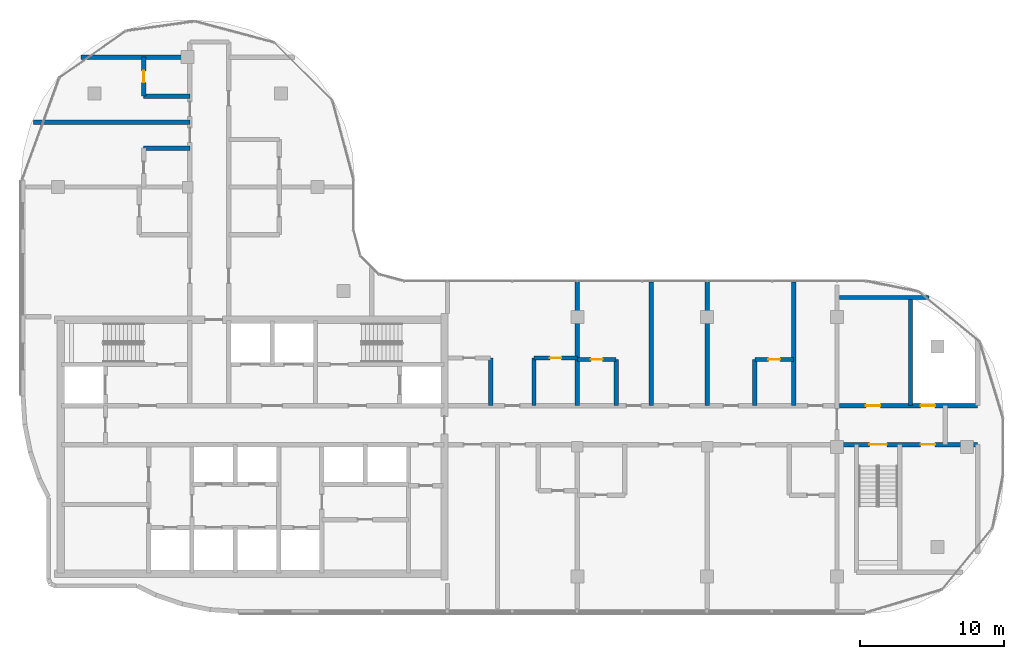
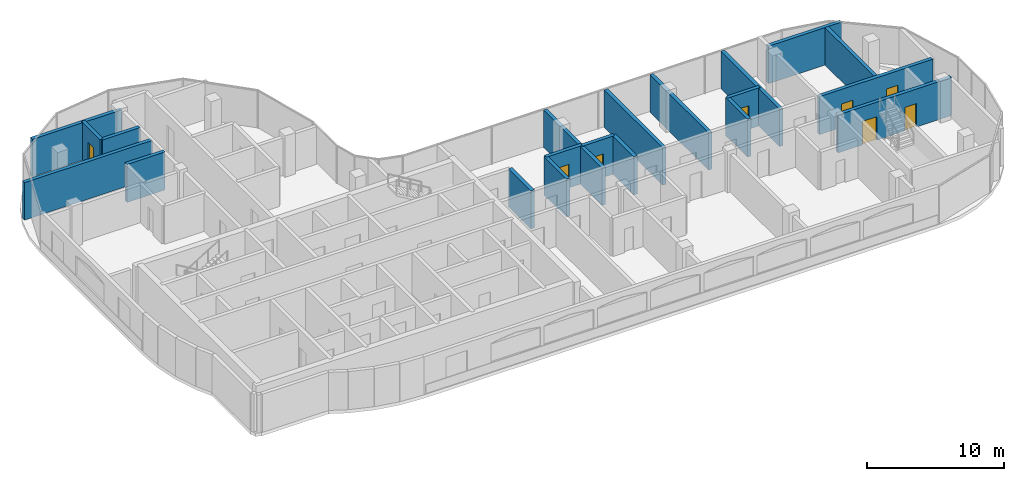
# One storey, part 12 of 18: 20 walls, 8 doors, 8 openings.
"""IFC4 building model written with IfcOpenShell, lengths in metres."""

from ifc_helpers import new_model, si_unit, direction, frame, frame_2d, origin, place, context, subcontext, project, spatial, rectangle, extrude, material, layer, layer_set, type_object, element, fill, save


model = new_model("IFC4")

# Units and contexts
model_context = context("Model", 3, precision=1e-05, world=origin(), true_north=direction((0.0, 1.0)))
body_context = subcontext(model_context, "Body", "Model", "MODEL_VIEW")
ifc_project = project(units=[si_unit("LENGTHUNIT", "METRE"), si_unit("AREAUNIT", "SQUARE_METRE"), si_unit("VOLUMEUNIT", "CUBIC_METRE"), si_unit("PLANEANGLEUNIT", "RADIAN"), si_unit("MASSUNIT", "GRAM", prefix="KILO")], contexts=[model_context])

# Site, building, storey
site_placement = place(None, origin())
site = spatial("IfcSite", under=ifc_project, at=site_placement, CompositionType="ELEMENT")
building_placement = place(site_placement, origin())
building = spatial("IfcBuilding", under=site, at=building_placement, Name="Ogive Portal Towers", CompositionType="ELEMENT")
storey_placement = place(building_placement, frame((0.0, 0.0, 240.199951171875)))
storey = spatial("IfcBuildingStorey", under=building, at=storey_placement, Name="L60", CompositionType="ELEMENT", Elevation=240.199951171875)

# Wall, openings, doors
ifc_material_1 = material(Name="Concrete C50/60", Category="concrete")
ifc_layer_1 = layer(ifc_material_1, 0.300048828125)
ifc_layer_set_1 = layer_set([ifc_layer_1], Name="STAIR WALL 300 C50")
wall_type_1 = type_object("IfcWallType", Name="STAIR WALL 300 C50", PredefinedType="SHEAR", material=ifc_layer_set_1)
wall_1_placement = place(storey_placement, frame((85.669921875, 30.64990234375, 0.0), z_axis=(0.0, 0.0, 1.0), x_axis=(1.0, 0.0, 0.0)))
wall_1 = element("IfcWall", 1, at=wall_1_placement, inside=storey, type_object=wall_type_1, Name="Stair wall ST-A4 L60", PredefinedType="SHEAR", context=body_context, shape_type="SweptSolid", body=[
    extrude(rectangle(XDim=9.580078125, YDim=0.300048828125, at=frame_2d((4.7900390625, 0.0))), origin(), (0.0, 0.0, 1.0), 3.400146484375),
])
opening_1_placement = place(wall_1_placement, frame((2.080078125, 0.0, 0.0)))
opening_1 = element("IfcOpeningElement", 2, at=opening_1_placement, cuts=wall_1, Name="Opening D26-052", PredefinedType="OPENING", context=body_context, shape_type="SweptSolid", body=[
    extrude(rectangle(XDim=1.199951171875, YDim=2.10009765625, at=frame_2d((0.60009765625, 1.050048828125))), frame((0.0, 0.16015625, 0.0), z_axis=(0.0, -1.0, 0.0), x_axis=(1.0, 0.0, 0.0)), (0.0, 0.0, 1.0), 0.320068359375),
])
opening_2_placement = place(wall_1_placement, frame((5.6298828125, 0.0, 0.0)))
opening_2 = element("IfcOpeningElement", 3, at=opening_2_placement, cuts=wall_1, Name="Opening D26-055", PredefinedType="OPENING", context=body_context, shape_type="SweptSolid", body=[
    extrude(rectangle(XDim=1.0, YDim=2.10009765625, at=frame_2d((0.5, 1.050048828125))), frame((0.0, 0.16015625, 0.0), z_axis=(0.0, -1.0, 0.0), x_axis=(1.0, 0.0, 0.0)), (0.0, 0.0, 1.0), 0.320068359375),
])
ifc_material_2 = material(Name="Steel fire door", Category="steel")
door_type_1 = type_object("IfcDoorType", Name="DT-SERVICE-1000x2100-FD90S", OperationType="SINGLE_SWING_LEFT", PredefinedType="DOOR", material=ifc_material_2)
door_1_placement = place(opening_2_placement, origin())
door_1 = element("IfcDoor", 4, at=door_1_placement, inside=storey, type_object=door_type_1, Name="Door D26-055", OperationType="SINGLE_SWING_LEFT", OverallHeight=2.10009765625, OverallWidth=1.0, PredefinedType="DOOR", context=body_context, shape_type="SweptSolid", body=[
    extrude(rectangle(XDim=1.0, YDim=2.10009765625, at=frame_2d((0.5, 1.050048828125))), frame((0.0, 0.02490234375, 0.0), z_axis=(0.0, -1.0, 0.0), x_axis=(1.0, 0.0, 0.0)), (0.0, 0.0, 1.0), 0.050048828125),
])
fill(opening_2, door_1)
door_type_2 = type_object("IfcDoorType", Name="DT-STAIR-1200x2100-FD90S", OperationType="SINGLE_SWING_LEFT", PredefinedType="DOOR", material=ifc_material_2)
door_2_placement = place(opening_1_placement, origin())
door_2 = element("IfcDoor", 5, at=door_2_placement, inside=storey, type_object=door_type_2, Name="Door D26-052", OperationType="SINGLE_SWING_LEFT", OverallHeight=2.10009765625, OverallWidth=1.199951171875, PredefinedType="DOOR", context=body_context, shape_type="SweptSolid", body=[
    extrude(rectangle(XDim=1.199951171875, YDim=2.10009765625, at=frame_2d((0.60009765625, 1.050048828125))), frame((0.0, 0.02490234375, 0.0), z_axis=(0.0, -1.0, 0.0), x_axis=(1.0, 0.0, 0.0)), (0.0, 0.0, 1.0), 0.050048828125),
])
fill(opening_1, door_2)

ifc_material_3 = material(Name="Gypsum board partition on steel studs", Category="steel")
ifc_layer_2 = layer(ifc_material_3, 0.300048828125)
ifc_layer_set_2 = layer_set([ifc_layer_2], Name="WT-PART-300-EI 120")
wall_type_2 = type_object("IfcWallType", Name="WT-PART-300-EI 120", PredefinedType="PARTITIONING", material=ifc_layer_set_2)
wall_2_placement = place(storey_placement, frame((85.669921875, 33.35009765625, 0.0), z_axis=(0.0, 0.0, 1.0), x_axis=(1.0, 0.0, 0.0)))
wall_2 = element("IfcWall", 6, at=wall_2_placement, inside=storey, type_object=wall_type_2, Name="Wall L60:w008", PredefinedType="PARTITIONING", context=body_context, shape_type="SweptSolid", body=[
    extrude(rectangle(XDim=9.580078125, YDim=0.300048828125, at=frame_2d((4.7900390625, 0.0))), origin(), (0.0, 0.0, 1.0), 3.400146484375),
])
opening_3_placement = place(wall_2_placement, frame((1.830078125, 0.0, 0.0)))
opening_3 = element("IfcOpeningElement", 7, at=opening_3_placement, cuts=wall_2, Name="Opening D26-053", PredefinedType="OPENING", context=body_context, shape_type="SweptSolid", body=[
    extrude(rectangle(XDim=1.0, YDim=2.10009765625, at=frame_2d((0.5, 1.050048828125))), frame((0.0, 0.16015625, 0.0), z_axis=(0.0, -1.0, 0.0), x_axis=(1.0, 0.0, 0.0)), (0.0, 0.0, 1.0), 0.320068359375),
])
opening_4_placement = place(wall_2_placement, frame((5.6298828125, 0.0, 0.0)))
opening_4 = element("IfcOpeningElement", 8, at=opening_4_placement, cuts=wall_2, Name="Opening D26-054", PredefinedType="OPENING", context=body_context, shape_type="SweptSolid", body=[
    extrude(rectangle(XDim=1.0, YDim=2.10009765625, at=frame_2d((0.5, 1.050048828125))), frame((0.0, 0.16015625, 0.0), z_axis=(0.0, -1.0, 0.0), x_axis=(1.0, 0.0, 0.0)), (0.0, 0.0, 1.0), 0.320068359375),
])
door_3_placement = place(opening_3_placement, origin())
door_3 = element("IfcDoor", 9, at=door_3_placement, inside=storey, type_object=door_type_1, Name="Door D26-053", OperationType="SINGLE_SWING_LEFT", OverallHeight=2.10009765625, OverallWidth=1.0, PredefinedType="DOOR", context=body_context, shape_type="SweptSolid", body=[
    extrude(rectangle(XDim=1.0, YDim=2.10009765625, at=frame_2d((0.5, 1.050048828125))), frame((0.0, 0.02490234375, 0.0), z_axis=(0.0, -1.0, 0.0), x_axis=(1.0, 0.0, 0.0)), (0.0, 0.0, 1.0), 0.050048828125),
])
fill(opening_3, door_3)
door_4_placement = place(opening_4_placement, origin())
door_4 = element("IfcDoor", 10, at=door_4_placement, inside=storey, type_object=door_type_1, Name="Riser access door D26-054", OperationType="SINGLE_SWING_RIGHT", OverallHeight=2.10009765625, OverallWidth=1.0, PredefinedType="DOOR", context=body_context, shape_type="SweptSolid", body=[
    extrude(rectangle(XDim=1.0, YDim=2.10009765625, at=frame_2d((0.5, 1.050048828125))), frame((0.0, 0.02490234375, 0.0), z_axis=(0.0, -1.0, 0.0), x_axis=(1.0, 0.0, 0.0)), (0.0, 0.0, 1.0), 0.050048828125),
])
fill(opening_4, door_4)

# Wall, opening, door
ifc_layer_3 = layer(ifc_material_3, 0.300048828125)
ifc_layer_set_3 = layer_set([ifc_layer_3], Name="WT-PART-300-EI 60")
wall_type_3 = type_object("IfcWallType", Name="WT-PART-300-EI 60", PredefinedType="PARTITIONING", material=ifc_layer_set_3)
wall_3_placement = place(storey_placement, frame((67.5, 36.550048828125, 0.0), z_axis=(0.0, 0.0, 1.0), x_axis=(1.0, 0.0, 0.0)))
wall_3 = element("IfcWall", 11, at=wall_3_placement, inside=storey, type_object=wall_type_3, Name="Wall L60:w009", PredefinedType="PARTITIONING", context=body_context, shape_type="SweptSolid", body=[
    extrude(rectangle(XDim=2.699951171875, YDim=0.300048828125, at=frame_2d((1.35009765625, 0.0))), origin(), (0.0, 0.0, 1.0), 3.400146484375),
])
opening_5_placement = place(wall_3_placement, frame((0.949951171875, 0.0, 0.0)))
opening_5 = element("IfcOpeningElement", 12, at=opening_5_placement, cuts=wall_3, Name="Opening D26-032", PredefinedType="OPENING", context=body_context, shape_type="SweptSolid", body=[
    extrude(rectangle(XDim=0.800048828125, YDim=2.10009765625, at=frame_2d((0.39990234375, 1.050048828125))), frame((0.0, 0.16015625, 0.0), z_axis=(0.0, -1.0, 0.0), x_axis=(1.0, 0.0, 0.0)), (0.0, 0.0, 1.0), 0.320068359375),
])
door_type_3 = type_object("IfcDoorType", Name="DT-BATH-800x2100-FD60S", OperationType="SINGLE_SWING_LEFT", PredefinedType="DOOR", material=ifc_material_2)
door_5_placement = place(opening_5_placement, origin())
door_5 = element("IfcDoor", 13, at=door_5_placement, inside=storey, type_object=door_type_3, Name="Door D26-032", OperationType="SINGLE_SWING_LEFT", OverallHeight=2.10009765625, OverallWidth=0.800048828125, PredefinedType="DOOR", context=body_context, shape_type="SweptSolid", body=[
    extrude(rectangle(XDim=0.800048828125, YDim=2.10009765625, at=frame_2d((0.39990234375, 1.050048828125))), frame((0.0, 0.02490234375, 0.0), z_axis=(0.0, -1.0, 0.0), x_axis=(1.0, 0.0, 0.0)), (0.0, 0.0, 1.0), 0.050048828125),
])
fill(opening_5, door_5)

wall_4_placement = place(storey_placement, frame((79.800048828125, 36.550048828125, 0.0), z_axis=(0.0, 0.0, 1.0), x_axis=(1.0, 0.0, 0.0)))
wall_4 = element("IfcWall", 14, at=wall_4_placement, inside=storey, type_object=wall_type_3, Name="Wall L60:w010", PredefinedType="PARTITIONING", context=body_context, shape_type="SweptSolid", body=[
    extrude(rectangle(XDim=2.699951171875, YDim=0.300048828125, at=frame_2d((1.35009765625, 0.0))), origin(), (0.0, 0.0, 1.0), 3.400146484375),
])
opening_6_placement = place(wall_4_placement, frame((0.949951171875, 0.0, 0.0)))
opening_6 = element("IfcOpeningElement", 15, at=opening_6_placement, cuts=wall_4, Name="Opening D26-037", PredefinedType="OPENING", context=body_context, shape_type="SweptSolid", body=[
    extrude(rectangle(XDim=0.800048828125, YDim=2.10009765625, at=frame_2d((0.39990234375, 1.050048828125))), frame((0.0, 0.16015625, 0.0), z_axis=(0.0, -1.0, 0.0), x_axis=(1.0, 0.0, 0.0)), (0.0, 0.0, 1.0), 0.320068359375),
])
door_6_placement = place(opening_6_placement, origin())
door_6 = element("IfcDoor", 16, at=door_6_placement, inside=storey, type_object=door_type_3, Name="Door D26-037", OperationType="SINGLE_SWING_LEFT", OverallHeight=2.10009765625, OverallWidth=0.800048828125, PredefinedType="DOOR", context=body_context, shape_type="SweptSolid", body=[
    extrude(rectangle(XDim=0.800048828125, YDim=2.10009765625, at=frame_2d((0.39990234375, 1.050048828125))), frame((0.0, 0.02490234375, 0.0), z_axis=(0.0, -1.0, 0.0), x_axis=(1.0, 0.0, 0.0)), (0.0, 0.0, 1.0), 0.050048828125),
])
fill(opening_6, door_6)

wall_5_placement = place(storey_placement, frame((64.5, 36.64990234375, 0.0), z_axis=(0.0, 0.0, 1.0), x_axis=(1.0, 0.0, 0.0)))
wall_5 = element("IfcWall", 17, at=wall_5_placement, inside=storey, type_object=wall_type_3, Name="Wall L60:w012", PredefinedType="PARTITIONING", context=body_context, shape_type="SweptSolid", body=[
    extrude(rectangle(XDim=3.0, YDim=0.300048828125, at=frame_2d((1.5, 0.0))), origin(), (0.0, 0.0, 1.0), 3.400146484375),
])
opening_7_placement = place(wall_5_placement, frame((1.10009765625, 0.0, 0.0)))
opening_7 = element("IfcOpeningElement", 18, at=opening_7_placement, cuts=wall_5, Name="Opening D26-027", PredefinedType="OPENING", context=body_context, shape_type="SweptSolid", body=[
    extrude(rectangle(XDim=0.800048828125, YDim=2.10009765625, at=frame_2d((0.39990234375, 1.050048828125))), frame((0.0, 0.16015625, 0.0), z_axis=(0.0, -1.0, 0.0), x_axis=(1.0, 0.0, 0.0)), (0.0, 0.0, 1.0), 0.320068359375),
])
door_7_placement = place(opening_7_placement, origin())
door_7 = element("IfcDoor", 19, at=door_7_placement, inside=storey, type_object=door_type_3, Name="Door D26-027", OperationType="SINGLE_SWING_RIGHT", OverallHeight=2.10009765625, OverallWidth=0.800048828125, PredefinedType="DOOR", context=body_context, shape_type="SweptSolid", body=[
    extrude(rectangle(XDim=0.800048828125, YDim=2.10009765625, at=frame_2d((0.39990234375, 1.050048828125))), frame((0.0, 0.02490234375, 0.0), z_axis=(0.0, -1.0, 0.0), x_axis=(1.0, 0.0, 0.0)), (0.0, 0.0, 1.0), 0.050048828125),
])
fill(opening_7, door_7)

# Walls
wall_6_placement = place(storey_placement, frame((85.669921875, 40.85009765625, 0.0), z_axis=(0.0, 0.0, 1.0), x_axis=(1.0, 0.0, 0.0)))
element("IfcWall", 20, at=wall_6_placement, inside=storey, type_object=wall_type_3, Name="Wall L60:w014", PredefinedType="PARTITIONING", context=body_context, shape_type="SweptSolid", body=[
    extrude(rectangle(XDim=6.2001953125, YDim=0.300048828125, at=frame_2d((3.10009765625, 0.0))), origin(), (0.0, 0.0, 1.0), 3.35009765625),
])
wall_7_placement = place(storey_placement, frame((37.449951171875, 51.199951171875, 0.0), z_axis=(0.0, 0.0, 1.0), x_axis=(1.0, 0.0, 0.0)))
element("IfcWall", 21, at=wall_7_placement, inside=storey, type_object=wall_type_3, Name="Wall L60:w019", PredefinedType="PARTITIONING", context=body_context, shape_type="SweptSolid", body=[
    extrude(rectangle(XDim=3.199951171875, YDim=0.300048828125, at=frame_2d((1.60009765625, 0.0))), origin(), (0.0, 0.0, 1.0), 3.400146484375),
])
wall_8_placement = place(storey_placement, frame((29.81201171875, 53.0, 0.0), z_axis=(0.0, 0.0, 1.0), x_axis=(1.0, 0.0, 0.0)))
element("IfcWall", 22, at=wall_8_placement, inside=storey, type_object=wall_type_3, Name="Wall L60:w021", PredefinedType="PARTITIONING", context=body_context, shape_type="SweptSolid", body=[
    extrude(rectangle(XDim=10.837890625, YDim=0.300048828125, at=frame_2d((5.4189453125, 0.0))), origin(), (0.0, 0.0, 1.0), 3.35009765625),
])
wall_9_placement = place(storey_placement, frame((37.449951171875, 54.800048828125, 0.0), z_axis=(0.0, 0.0, 1.0), x_axis=(1.0, 0.0, 0.0)))
element("IfcWall", 23, at=wall_9_placement, inside=storey, type_object=wall_type_3, Name="Wall L60:w022", PredefinedType="PARTITIONING", context=body_context, shape_type="SweptSolid", body=[
    extrude(rectangle(XDim=3.199951171875, YDim=0.300048828125, at=frame_2d((1.60009765625, 0.0))), origin(), (0.0, 0.0, 1.0), 3.400146484375),
])
wall_10_placement = place(storey_placement, frame((33.087890625, 57.5, 0.0), z_axis=(0.0, 0.0, 1.0), x_axis=(1.0, 0.0, 0.0)))
element("IfcWall", 24, at=wall_10_placement, inside=storey, type_object=wall_type_3, Name="Wall L60:w023", PredefinedType="PARTITIONING", context=body_context, shape_type="SweptSolid", body=[
    extrude(rectangle(XDim=7.56201171875, YDim=0.300048828125, at=frame_2d((3.781005859375, 0.0))), origin(), (0.0, 0.0, 1.0), 3.35009765625),
])

# Wall, opening, door
wall_11_placement = place(storey_placement, frame((37.449951171875, 54.800048828125, 0.0), z_axis=(0.0, 0.0, 1.0), x_axis=(0.0, 1.0, 0.0)))
wall_11 = element("IfcWall", 25, at=wall_11_placement, inside=storey, type_object=wall_type_3, Name="Wall L60:w028", PredefinedType="PARTITIONING", context=body_context, shape_type="SweptSolid", body=[
    extrude(rectangle(XDim=2.699951171875, YDim=0.300048828125, at=frame_2d((1.35009765625, 0.0))), origin(), (0.0, 0.0, 1.0), 3.400146484375),
])
opening_8_placement = place(wall_11_placement, frame((0.949951171875, 0.0, 0.0)))
opening_8 = element("IfcOpeningElement", 26, at=opening_8_placement, cuts=wall_11, Name="Opening D26-050", PredefinedType="OPENING", context=body_context, shape_type="SweptSolid", body=[
    extrude(rectangle(XDim=0.800048828125, YDim=2.10009765625, at=frame_2d((0.39990234375, 1.050048828125))), frame((0.0, 0.16015625, 0.0), z_axis=(0.0, -1.0, 0.0), x_axis=(1.0, 0.0, 0.0)), (0.0, 0.0, 1.0), 0.320068359375),
])
door_8_placement = place(opening_8_placement, origin())
door_8 = element("IfcDoor", 27, at=door_8_placement, inside=storey, type_object=door_type_3, Name="Door D26-050", OperationType="SINGLE_SWING_LEFT", OverallHeight=2.10009765625, OverallWidth=0.800048828125, PredefinedType="DOOR", context=body_context, shape_type="SweptSolid", body=[
    extrude(rectangle(XDim=0.800048828125, YDim=2.10009765625, at=frame_2d((0.39990234375, 1.050048828125))), frame((0.0, 0.02490234375, 0.0), z_axis=(0.0, -1.0, 0.0), x_axis=(1.0, 0.0, 0.0)), (0.0, 0.0, 1.0), 0.050048828125),
])
fill(opening_8, door_8)

# Walls
for number, where, z_axis, x_axis, name in (
    (28, (61.5, 33.35009765625, 0.0), (0.0, 0.0, 1.0), (0.0, 1.0, 0.0), "Wall L60:w035"),
    (29, (64.5, 33.35009765625, 0.0), (0.0, 0.0, 1.0), (0.0, 1.0, 0.0), "Wall L60:w037"),
):
    element("IfcWall", number, at=place(storey_placement, frame(where, z_axis=z_axis, x_axis=x_axis)), inside=storey, type_object=wall_type_3, Name=name, PredefinedType="PARTITIONING", context=body_context, shape_type="SweptSolid", body=[
        extrude(rectangle(XDim=3.2998046875, YDim=0.300048828125, at=frame_2d((1.64990234375, 0.0))), origin(), (0.0, 0.0, 1.0), 3.400146484375),
    ])
wall_12_placement = place(storey_placement, frame((67.5, 33.35009765625, 0.0), z_axis=(0.0, 0.0, 1.0), x_axis=(0.0, 1.0, 0.0)))
element("IfcWall", 30, at=wall_12_placement, inside=storey, type_object=wall_type_3, Name="Wall L60:w040", PredefinedType="PARTITIONING", context=body_context, shape_type="SweptSolid", body=[
    extrude(rectangle(XDim=8.554931640625, YDim=0.300048828125, at=frame_2d((4.27734375, 0.0))), origin(), (0.0, 0.0, 1.0), 3.35009765625),
])
wall_13_placement = place(storey_placement, frame((70.199951171875, 33.35009765625, 0.0), z_axis=(0.0, 0.0, 1.0), x_axis=(0.0, 1.0, 0.0)))
element("IfcWall", 31, at=wall_13_placement, inside=storey, type_object=wall_type_3, Name="Wall L60:w041", PredefinedType="PARTITIONING", context=body_context, shape_type="SweptSolid", body=[
    extrude(rectangle(XDim=3.199951171875, YDim=0.300048828125, at=frame_2d((1.60009765625, 0.0))), origin(), (0.0, 0.0, 1.0), 3.400146484375),
])
for number, where, z_axis, x_axis, name in (
    (32, (72.6298828125, 33.35009765625, 0.0), (0.0, 0.0, 1.0), (0.0, 1.0, 0.0), "Wall L60:w043"),
    (33, (76.5, 33.35009765625, 0.0), (0.0, 0.0, 1.0), (0.0, 1.0, 0.0), "Wall L60:w045"),
):
    element("IfcWall", number, at=place(storey_placement, frame(where, z_axis=z_axis, x_axis=x_axis)), inside=storey, type_object=wall_type_3, Name=name, PredefinedType="PARTITIONING", context=body_context, shape_type="SweptSolid", body=[
        extrude(rectangle(XDim=8.554931640625, YDim=0.300048828125, at=frame_2d((4.27734375, 0.0))), origin(), (0.0, 0.0, 1.0), 3.35009765625),
    ])
wall_14_placement = place(storey_placement, frame((79.800048828125, 33.35009765625, 0.0), z_axis=(0.0, 0.0, 1.0), x_axis=(0.0, 1.0, 0.0)))
element("IfcWall", 34, at=wall_14_placement, inside=storey, type_object=wall_type_3, Name="Wall L60:w046", PredefinedType="PARTITIONING", context=body_context, shape_type="SweptSolid", body=[
    extrude(rectangle(XDim=3.199951171875, YDim=0.300048828125, at=frame_2d((1.60009765625, 0.0))), origin(), (0.0, 0.0, 1.0), 3.400146484375),
])
wall_15_placement = place(storey_placement, frame((82.5, 33.35009765625, 0.0), z_axis=(0.0, 0.0, 1.0), x_axis=(0.0, 1.0, 0.0)))
element("IfcWall", 35, at=wall_15_placement, inside=storey, type_object=wall_type_3, Name="Wall L60:w048", PredefinedType="PARTITIONING", context=body_context, shape_type="SweptSolid", body=[
    extrude(rectangle(XDim=8.554931640625, YDim=0.300048828125, at=frame_2d((4.27734375, 0.0))), origin(), (0.0, 0.0, 1.0), 3.35009765625),
])
wall_16_placement = place(storey_placement, frame((90.60009765625, 33.35009765625, 0.0), z_axis=(0.0, 0.0, 1.0), x_axis=(0.0, 1.0, 0.0)))
element("IfcWall", 36, at=wall_16_placement, inside=storey, type_object=wall_type_3, Name="Wall L60:w051", PredefinedType="PARTITIONING", context=body_context, shape_type="SweptSolid", body=[
    extrude(rectangle(XDim=7.5, YDim=0.300048828125, at=frame_2d((3.75, 0.0))), origin(), (0.0, 0.0, 1.0), 3.35009765625),
])

save(model, "model.ifc")
